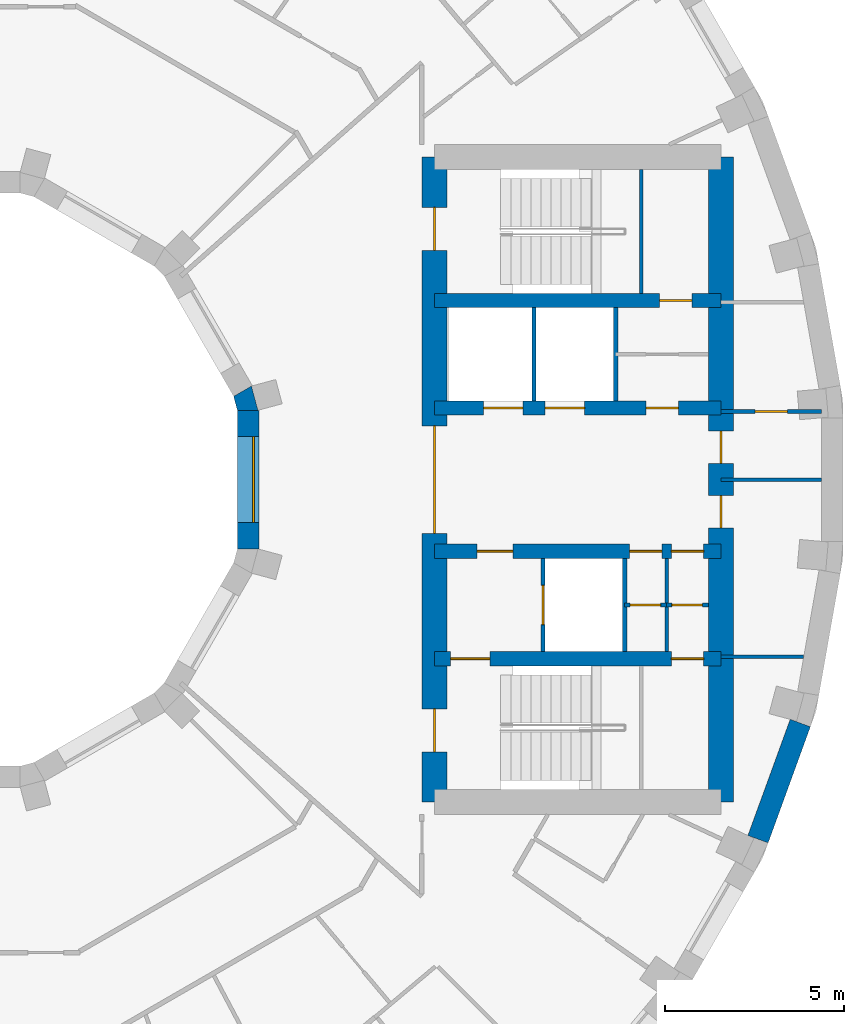
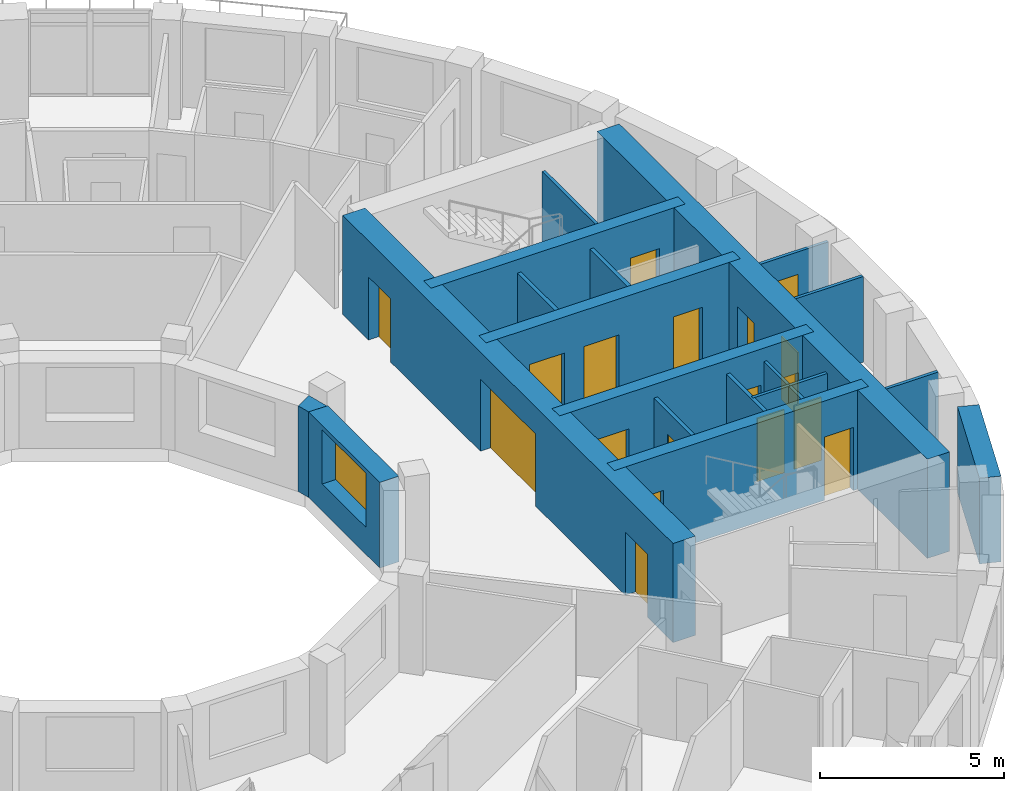
# One storey, part 8 of 13: 20 walls, 18 doors, 1 window, 19 openings.
"""IFC4 building model written with IfcOpenShell, lengths in metres."""

from ifc_helpers import new_model, si_unit, direction, frame, frame_2d, origin, place, context, subcontext, project, spatial, polyline, rectangle, outline, extrude, material, layer, layer_set, type_object, element, fill, save


model = new_model("IFC4")

# Units and contexts
model_context = context("Model", 3, precision=1e-05, world=origin(), true_north=direction((0.0, 1.0)))
body_context = subcontext(model_context, "Body", "Model", "MODEL_VIEW")
ifc_project = project(units=[si_unit("LENGTHUNIT", "METRE"), si_unit("AREAUNIT", "SQUARE_METRE"), si_unit("VOLUMEUNIT", "CUBIC_METRE"), si_unit("PLANEANGLEUNIT", "RADIAN"), si_unit("MASSUNIT", "GRAM", prefix="KILO")], contexts=[model_context])

# Site, building, storey
site_placement = place(None, origin())
site = spatial("IfcSite", under=ifc_project, at=site_placement, CompositionType="ELEMENT")
building_placement = place(site_placement, origin())
building = spatial("IfcBuilding", under=site, at=building_placement, Name="Saqina Gate Tower", CompositionType="ELEMENT")
storey_placement = place(building_placement, frame((0.0, 0.0, 200.39990234375)))
storey = spatial("IfcBuildingStorey", under=building, at=storey_placement, Name="L57", CompositionType="ELEMENT", Elevation=200.39990234375)

# Wall, opening, door
ifc_material_1 = material(Name="Gypsum board on steel studs", Category="steel")
ifc_layer_1 = layer(ifc_material_1, 0.10009765625)
ifc_layer_set_1 = layer_set([ifc_layer_1], Name="CORE PARTITION")
wall_type_1 = type_object("IfcWallType", Name="CORE PARTITION", PredefinedType="PARTITIONING", material=ifc_layer_set_1)
wall_1_placement = place(storey_placement, frame((21.5, 1.89990234375, 0.0), z_axis=(0.0, 0.0, 1.0), x_axis=(1.0, 0.0, 0.0)))
wall_1 = element("IfcWall", 1, at=wall_1_placement, inside=storey, type_object=wall_type_1, Name="L57-CP-E02", PredefinedType="PARTITIONING", context=body_context, shape_type="SweptSolid", body=[
    extrude(rectangle(XDim=2.804931640625, YDim=0.10009765625, at=frame_2d((1.40234375, 0.0))), origin(), (0.0, 0.0, 1.0), 2.85009765625),
])
opening_1_placement = place(wall_1_placement, frame((0.952392578125, 0.0, 0.0)))
opening_1 = element("IfcOpeningElement", 2, at=opening_1_placement, cuts=wall_1, Name="Opening G17-D94", PredefinedType="OPENING", context=body_context, shape_type="SweptSolid", body=[
    extrude(rectangle(XDim=0.89990234375, YDim=2.10009765625, at=frame_2d((0.449951171875, 1.050048828125))), frame((0.0, 0.06201171875, 0.0), z_axis=(0.0, -1.0, 0.0), x_axis=(1.0, 0.0, 0.0)), (0.0, 0.0, 1.0), 0.1240234375),
])
ifc_material_2 = material(Name="Steel-framed fire door leaf, EI 60", Category="steel")
door_type_1 = type_object("IfcDoorType", Name="SERVICE ROOM DOOR 900", OperationType="SINGLE_SWING_LEFT", PredefinedType="DOOR", material=ifc_material_2)
door_1_placement = place(opening_1_placement, origin())
door_1 = element("IfcDoor", 3, at=door_1_placement, inside=storey, type_object=door_type_1, Name="L57-CD-E05", OperationType="SINGLE_SWING_LEFT", OverallHeight=2.10009765625, OverallWidth=0.89990234375, PredefinedType="DOOR", context=body_context, shape_type="SweptSolid", body=[
    extrude(rectangle(XDim=0.89990234375, YDim=2.10009765625, at=frame_2d((0.449951171875, 1.050048828125))), frame((0.0, 0.02490234375, 0.0), z_axis=(0.0, -1.0, 0.0), x_axis=(1.0, 0.0, 0.0)), (0.0, 0.0, 1.0), 0.050048828125),
])
fill(opening_1, door_1)

# Walls
wall_2_placement = place(storey_placement, frame((21.5, -4.949951171875, 0.0), z_axis=(0.0, 0.0, 1.0), x_axis=(1.0, 0.0, 0.0)))
element("IfcWall", 4, at=wall_2_placement, inside=storey, type_object=wall_type_1, Name="L57-CP-E03", PredefinedType="PARTITIONING", context=body_context, shape_type="SweptSolid", body=[
    extrude(rectangle(XDim=2.306884765625, YDim=0.10009765625, at=frame_2d((1.1533203125, 0.0))), origin(), (0.0, 0.0, 1.0), 2.85009765625),
])
wall_3_placement = place(storey_placement, frame((21.5, 0.0, 0.0), z_axis=(0.0, 0.0, 1.0), x_axis=(1.0, 0.0, 0.0)))
element("IfcWall", 5, at=wall_3_placement, inside=storey, type_object=wall_type_1, Name="L57-CP-E04", PredefinedType="PARTITIONING", context=body_context, shape_type="SweptSolid", body=[
    extrude(rectangle(XDim=2.804931640625, YDim=0.10009765625, at=frame_2d((1.40234375, 0.0))), origin(), (0.0, 0.0, 1.0), 2.85009765625),
])
wall_4_placement = place(storey_placement, frame((19.97998046875, -4.800048828125, 0.0), z_axis=(0.0, 0.0, 1.0), x_axis=(0.0, 1.0, 0.0)))
element("IfcWall", 6, at=wall_4_placement, inside=storey, type_object=wall_type_1, Name="L57-CP-E09", PredefinedType="PARTITIONING", context=body_context, shape_type="SweptSolid", body=[
    extrude(rectangle(XDim=2.60009765625, YDim=0.10009765625, at=frame_2d((1.300048828125, 0.0))), origin(), (0.0, 0.0, 1.0), 2.85009765625),
])

# Wall, opening, door
wall_5_placement = place(storey_placement, frame((18.81005859375, -3.5, 0.0), z_axis=(0.0, 0.0, 1.0), x_axis=(1.0, 0.0, 0.0)))
wall_5 = element("IfcWall", 7, at=wall_5_placement, inside=storey, type_object=wall_type_1, Name="L57-CP-E11", PredefinedType="PARTITIONING", context=body_context, shape_type="SweptSolid", body=[
    extrude(rectangle(XDim=1.169921875, YDim=0.10009765625, at=frame_2d((0.5849609375, 0.0))), origin(), (0.0, 0.0, 1.0), 2.85009765625),
])
opening_2_placement = place(wall_5_placement, frame((0.14990234375, 0.0, 0.0)))
opening_2 = element("IfcOpeningElement", 8, at=opening_2_placement, cuts=wall_5, Name="Opening G17-D99", PredefinedType="OPENING", context=body_context, shape_type="SweptSolid", body=[
    extrude(rectangle(XDim=0.85009765625, YDim=2.10009765625, at=frame_2d((0.425048828125, 1.050048828125))), frame((0.0, 0.06201171875, 0.0), z_axis=(0.0, -1.0, 0.0), x_axis=(1.0, 0.0, 0.0)), (0.0, 0.0, 1.0), 0.1240234375),
])
ifc_material_3 = material(Name="Steel-framed fire door leaf, EI 60", Category="steel")
door_type_2 = type_object("IfcDoorType", Name="SERVICE ROOM DOOR 850", OperationType="SINGLE_SWING_LEFT", PredefinedType="DOOR", material=ifc_material_3)
door_2_placement = place(opening_2_placement, frame((0.85009765625, 0.0, 0.0), z_axis=(0.0, 0.0, 1.0), x_axis=(-1.0, 0.0, 0.0)))
door_2 = element("IfcDoor", 9, at=door_2_placement, inside=storey, type_object=door_type_2, Name="L57-CD-E10", OperationType="SINGLE_SWING_RIGHT", OverallHeight=2.10009765625, OverallWidth=0.85009765625, PredefinedType="DOOR", context=body_context, shape_type="SweptSolid", body=[
    extrude(rectangle(XDim=0.85009765625, YDim=2.10009765625, at=frame_2d((0.425048828125, 1.050048828125))), frame((0.0, 0.02490234375, 0.0), z_axis=(0.0, -1.0, 0.0), x_axis=(1.0, 0.0, 0.0)), (0.0, 0.0, 1.0), 0.050048828125),
])
fill(opening_2, door_2)

wall_6_placement = place(storey_placement, frame((19.97998046875, -3.5, 0.0), z_axis=(0.0, 0.0, 1.0), x_axis=(1.0, 0.0, 0.0)))
wall_6 = element("IfcWall", 10, at=wall_6_placement, inside=storey, type_object=wall_type_1, Name="L57-CP-E12", PredefinedType="PARTITIONING", context=body_context, shape_type="SweptSolid", body=[
    extrude(rectangle(XDim=1.169921875, YDim=0.10009765625, at=frame_2d((0.5849609375, 0.0))), origin(), (0.0, 0.0, 1.0), 2.85009765625),
])
opening_3_placement = place(wall_6_placement, frame((0.14990234375, 0.0, 0.0)))
opening_3 = element("IfcOpeningElement", 11, at=opening_3_placement, cuts=wall_6, Name="Opening G17-D100", PredefinedType="OPENING", context=body_context, shape_type="SweptSolid", body=[
    extrude(rectangle(XDim=0.85009765625, YDim=2.10009765625, at=frame_2d((0.425048828125, 1.050048828125))), frame((0.0, 0.06201171875, 0.0), z_axis=(0.0, -1.0, 0.0), x_axis=(1.0, 0.0, 0.0)), (0.0, 0.0, 1.0), 0.1240234375),
])
door_3_placement = place(opening_3_placement, frame((0.85009765625, 0.0, 0.0), z_axis=(0.0, 0.0, 1.0), x_axis=(-1.0, 0.0, 0.0)))
door_3 = element("IfcDoor", 12, at=door_3_placement, inside=storey, type_object=door_type_2, Name="L57-CD-E11", OperationType="SINGLE_SWING_LEFT", OverallHeight=2.10009765625, OverallWidth=0.85009765625, PredefinedType="DOOR", context=body_context, shape_type="SweptSolid", body=[
    extrude(rectangle(XDim=0.85009765625, YDim=2.10009765625, at=frame_2d((0.425048828125, 1.050048828125))), frame((0.0, 0.02490234375, 0.0), z_axis=(0.0, -1.0, 0.0), x_axis=(1.0, 0.0, 0.0)), (0.0, 0.0, 1.0), 0.050048828125),
])
fill(opening_3, door_3)

# Wall
ifc_material_4 = material(Name="Glazed ceramic tile", Category="ceramic")
ifc_layer_2 = layer(ifc_material_4, 0.60009765625)
ifc_layer_set_2 = layer_set([ifc_layer_2], Name="FW-TILE")
wall_type_2 = type_object("IfcWallType", Name="FW-TILE", PredefinedType="SOLIDWALL", material=ifc_layer_set_2)
wall_7_placement = place(storey_placement, frame((22.531005859375, -10.0361328125, 0.0), z_axis=(0.0, 0.0, 1.0), x_axis=(0.342032843455, 0.93968799822, 0.0)))
element("IfcWall", 13, at=wall_7_placement, inside=storey, type_object=wall_type_2, Name="Facade wall L57 facet 34", PredefinedType="SOLIDWALL", context=body_context, shape_type="SweptSolid", body=[
    extrude(rectangle(XDim=3.44970703125, YDim=0.60009765625, at=frame_2d((1.724853515625, 0.0))), origin(), (0.0, 0.0, 1.0), 2.85009765625),
])

# Wall, opening, window
ifc_material_5 = material(Name="Glazed ceramic tile", Category="ceramic")
ifc_layer_3 = layer(ifc_material_5, 0.60009765625)
ifc_layer_set_3 = layer_set([ifc_layer_3], Name="IW-TILE")
wall_type_3 = type_object("IfcWallType", Name="IW-TILE", PredefinedType="SOLIDWALL", material=ifc_layer_set_3)
wall_8_placement = place(storey_placement, frame((8.300048828125, -1.934814453125, 0.0), z_axis=(0.0, 0.0, 1.0), x_axis=(0.0, 1.0, 0.0)))
wall_8 = element("IfcWall", 14, at=wall_8_placement, inside=storey, type_object=wall_type_3, Name="Well wall L57 facet 12", PredefinedType="SOLIDWALL", context=body_context, shape_type="SweptSolid", body=[
    extrude(rectangle(XDim=3.86962890625, YDim=0.60009765625, at=frame_2d((1.934814453125, 0.0))), origin(), (0.0, 0.0, 1.0), 2.85009765625),
])
opening_4_placement = place(wall_8_placement, frame((0.73486328125, 0.0, 0.89990234375)))
opening_4 = element("IfcOpeningElement", 15, at=opening_4_placement, cuts=wall_8, Name="Opening G17-W34", PredefinedType="OPENING", context=body_context, shape_type="SweptSolid", body=[
    extrude(rectangle(XDim=2.39990234375, YDim=1.800048828125, at=frame_2d((1.199951171875, 0.89990234375))), frame((0.0, 0.31201171875, 0.0), z_axis=(0.0, -1.0, 0.0), x_axis=(1.0, 0.0, 0.0)), (0.0, 0.0, 1.0), 0.6240234375),
])
ifc_material_6 = material(Name="Aluminium glazing", Category="aluminium")
window_type = type_object("IfcWindowType", Name="WN-W", PartitioningType="SINGLE_PANEL", PredefinedType="WINDOW", material=ifc_material_6)
window_placement = place(opening_4_placement, origin())
window = element("IfcWindow", 16, at=window_placement, inside=storey, type_object=window_type, Name="Well window L57 facet 12", OverallHeight=1.800048828125, OverallWidth=2.39990234375, PartitioningType="SINGLE_PANEL", PredefinedType="WINDOW", context=body_context, shape_type="SweptSolid", body=[
    extrude(rectangle(XDim=2.39990234375, YDim=1.800048828125, at=frame_2d((1.199951171875, 0.89990234375))), frame((0.0, -0.119873046875, 0.0), z_axis=(0.0, -1.0, 0.0), x_axis=(1.0, 0.0, 0.0)), (0.0, 0.0, 1.0), 0.06005859375),
])
fill(opening_4, window)

# Walls
ifc_material_7 = material(Name="Autoclaved aerated concrete block", Category="concrete")
ifc_layer_4 = layer(ifc_material_7, 0.1201171875)
ifc_layer_set_4 = layer_set([ifc_layer_4], Name="SHAFT PARTITION")
wall_type_4 = type_object("IfcWallType", Name="SHAFT PARTITION", PredefinedType="PARTITIONING", material=ifc_layer_set_4)
for number, where, z_axis, x_axis, name in (
    (17, (16.280029296875, 2.199951171875, 0.0), (0.0, 0.0, 1.0), (0.0, 1.0, 0.0), "L57-CP-E05"),
    (18, (18.56005859375, 2.199951171875, 0.0), (0.0, 0.0, 1.0), (0.0, 1.0, 0.0), "L57-CP-E06"),
):
    element("IfcWall", number, at=place(storey_placement, frame(where, z_axis=z_axis, x_axis=x_axis)), inside=storey, type_object=wall_type_4, Name=name, PredefinedType="PARTITIONING", context=body_context, shape_type="SweptSolid", body=[
        extrude(rectangle(XDim=2.60009765625, YDim=0.1201171875, at=frame_2d((1.300048828125, 0.0))), origin(), (0.0, 0.0, 1.0), 2.85009765625),
    ])

# Wall, opening, door
wall_9_placement = place(storey_placement, frame((16.530029296875, -4.800048828125, 0.0), z_axis=(0.0, 0.0, 1.0), x_axis=(0.0, 1.0, 0.0)))
wall_9 = element("IfcWall", 19, at=wall_9_placement, inside=storey, type_object=wall_type_4, Name="L57-CP-E07", PredefinedType="PARTITIONING", context=body_context, shape_type="SweptSolid", body=[
    extrude(rectangle(XDim=2.60009765625, YDim=0.1201171875, at=frame_2d((1.300048828125, 0.0))), origin(), (0.0, 0.0, 1.0), 2.85009765625),
])
opening_5_placement = place(wall_9_placement, frame((0.75, 0.0, 0.0)))
opening_5 = element("IfcOpeningElement", 20, at=opening_5_placement, cuts=wall_9, Name="Opening G17-LD3", PredefinedType="OPENING", context=body_context, shape_type="SweptSolid", body=[
    extrude(rectangle(XDim=1.10009765625, YDim=2.10009765625, at=frame_2d((0.550048828125, 1.050048828125))), frame((0.0, 0.072021484375, 0.0), z_axis=(0.0, -1.0, 0.0), x_axis=(1.0, 0.0, 0.0)), (0.0, 0.0, 1.0), 0.14404296875),
])
ifc_material_8 = material(Name="Stainless steel", Category="steel")
door_type_3 = type_object("IfcDoorType", Name="LANDING DOOR", OperationType="DOUBLE_DOOR_SLIDING", PredefinedType="DOOR", material=ifc_material_8)
door_4_placement = place(opening_5_placement, origin())
door_4 = element("IfcDoor", 21, at=door_4_placement, inside=storey, type_object=door_type_3, Name="LANDING DOOR FF1", OperationType="DOUBLE_DOOR_SLIDING", OverallHeight=2.10009765625, OverallWidth=1.10009765625, PredefinedType="DOOR", context=body_context, shape_type="SweptSolid", body=[
    extrude(rectangle(XDim=1.10009765625, YDim=2.10009765625, at=frame_2d((0.550048828125, 1.050048828125))), frame((0.0, 0.02490234375, 0.0), z_axis=(0.0, -1.0, 0.0), x_axis=(1.0, 0.0, 0.0)), (0.0, 0.0, 1.0), 0.050048828125),
])
fill(opening_5, door_4)

# Walls
wall_10_placement = place(storey_placement, frame((18.81005859375, -4.800048828125, 0.0), z_axis=(0.0, 0.0, 1.0), x_axis=(0.0, 1.0, 0.0)))
element("IfcWall", 22, at=wall_10_placement, inside=storey, type_object=wall_type_4, Name="L57-CP-E08", PredefinedType="PARTITIONING", context=body_context, shape_type="SweptSolid", body=[
    extrude(rectangle(XDim=2.60009765625, YDim=0.1201171875, at=frame_2d((1.300048828125, 0.0))), origin(), (0.0, 0.0, 1.0), 2.85009765625),
])
ifc_material_9 = material(Name="Autoclaved aerated concrete block", Category="concrete")
ifc_layer_5 = layer(ifc_material_9, 0.10009765625)
ifc_layer_set_5 = layer_set([ifc_layer_5], Name="STAIR ENCLOSURE WALL")
wall_type_5 = type_object("IfcWallType", Name="STAIR ENCLOSURE WALL", PredefinedType="PARTITIONING", material=ifc_layer_set_5)
wall_11_placement = place(storey_placement, frame((19.27001953125, 5.199951171875, 0.0), z_axis=(0.0, 0.0, 1.0), x_axis=(0.0, 1.0, 0.0)))
element("IfcWall", 23, at=wall_11_placement, inside=storey, type_object=wall_type_5, Name="L57-CP-E13", PredefinedType="PARTITIONING", context=body_context, shape_type="SweptSolid", body=[
    extrude(rectangle(XDim=3.449951171875, YDim=0.10009765625, at=frame_2d((1.72509765625, 0.0))), origin(), (0.0, 0.0, 1.0), 2.85009765625),
])

# Wall, opening, door
ifc_material_10 = material(Name="Concrete C60/75", Category="concrete")
ifc_layer_6 = layer(ifc_material_10, 0.39990234375)
ifc_layer_set_6 = layer_set([ifc_layer_6], Name="Concrete C60/75")
wall_type_6 = type_object("IfcWallType", Name="STR-CORE WALL-C-I", PredefinedType="SHEAR", material=ifc_layer_set_6)
wall_12_placement = place(storey_placement, frame((13.5, 5.0, 0.0), z_axis=(0.0, 0.0, 1.0), x_axis=(1.0, 0.0, 0.0)))
wall_12 = element("IfcWall", 24, at=wall_12_placement, inside=storey, type_object=wall_type_6, Name="CORE WALL L57 E-X1", PredefinedType="SHEAR", context=body_context, shape_type="SweptSolid", body=[
    extrude(rectangle(XDim=8.0, YDim=0.39990234375, at=frame_2d((4.0, 0.0))), origin(), (0.0, 0.0, 1.0), 3.300048828125),
])
opening_6_placement = place(wall_12_placement, frame((6.284912109375, 0.0, 0.0)))
opening_6 = element("IfcOpeningElement", 25, at=opening_6_placement, cuts=wall_12, Name="Opening G17-D98", PredefinedType="OPENING", context=body_context, shape_type="SweptSolid", body=[
    extrude(rectangle(XDim=0.89990234375, YDim=2.10009765625, at=frame_2d((0.449951171875, 1.050048828125))), frame((0.0, 0.2119140625, 0.0), z_axis=(0.0, -1.0, 0.0), x_axis=(1.0, 0.0, 0.0)), (0.0, 0.0, 1.0), 0.423828125),
])
door_5_placement = place(opening_6_placement, origin())
door_5 = element("IfcDoor", 26, at=door_5_placement, inside=storey, type_object=door_type_1, Name="L57-CD-E09", OperationType="SINGLE_SWING_RIGHT", OverallHeight=2.10009765625, OverallWidth=0.89990234375, PredefinedType="DOOR", context=body_context, shape_type="SweptSolid", body=[
    extrude(rectangle(XDim=0.89990234375, YDim=2.10009765625, at=frame_2d((0.449951171875, 1.050048828125))), frame((0.0, 0.02490234375, 0.0), z_axis=(0.0, -1.0, 0.0), x_axis=(1.0, 0.0, 0.0)), (0.0, 0.0, 1.0), 0.050048828125),
])
fill(opening_6, door_5)

# Wall, openings, doors
wall_13_placement = place(storey_placement, frame((13.5, -5.0, 0.0), z_axis=(0.0, 0.0, 1.0), x_axis=(1.0, 0.0, 0.0)))
wall_13 = element("IfcWall", 27, at=wall_13_placement, inside=storey, type_object=wall_type_6, Name="CORE WALL L57 E-X2", PredefinedType="SHEAR", context=body_context, shape_type="SweptSolid", body=[
    extrude(rectangle(XDim=8.0, YDim=0.39990234375, at=frame_2d((4.0, 0.0))), origin(), (0.0, 0.0, 1.0), 3.300048828125),
])
opening_7_placement = place(wall_13_placement, frame((6.614990234375, 0.0, 0.0)))
opening_7 = element("IfcOpeningElement", 28, at=opening_7_placement, cuts=wall_13, Name="Opening G17-D101", PredefinedType="OPENING", context=body_context, shape_type="SweptSolid", body=[
    extrude(rectangle(XDim=0.89990234375, YDim=2.10009765625, at=frame_2d((0.449951171875, 1.050048828125))), frame((0.0, 0.2119140625, 0.0), z_axis=(0.0, -1.0, 0.0), x_axis=(1.0, 0.0, 0.0)), (0.0, 0.0, 1.0), 0.423828125),
])
opening_8_placement = place(wall_13_placement, frame((0.449951171875, 0.0, 0.0)))
opening_8 = element("IfcOpeningElement", 29, at=opening_8_placement, cuts=wall_13, Name="Opening G17-D102", PredefinedType="OPENING", context=body_context, shape_type="SweptSolid", body=[
    extrude(rectangle(XDim=1.10009765625, YDim=2.10009765625, at=frame_2d((0.550048828125, 1.050048828125))), frame((0.0, 0.2119140625, 0.0), z_axis=(0.0, -1.0, 0.0), x_axis=(1.0, 0.0, 0.0)), (0.0, 0.0, 1.0), 0.423828125),
])
ifc_material_11 = material(Name="Steel", Category="steel")
door_type_4 = type_object("IfcDoorType", Name="FIRE LOBBY DOOR EI 60 WIDE", OperationType="SINGLE_SWING_LEFT", PredefinedType="DOOR", material=ifc_material_11)
door_6_placement = place(opening_8_placement, frame((1.10009765625, 0.0, 0.0), z_axis=(0.0, 0.0, 1.0), x_axis=(-1.0, 0.0, 0.0)))
door_6 = element("IfcDoor", 30, at=door_6_placement, inside=storey, type_object=door_type_4, Name="L57-CD-E13", OperationType="SINGLE_SWING_RIGHT", OverallHeight=2.10009765625, OverallWidth=1.10009765625, PredefinedType="DOOR", context=body_context, shape_type="SweptSolid", body=[
    extrude(rectangle(XDim=1.10009765625, YDim=2.10009765625, at=frame_2d((0.550048828125, 1.050048828125))), frame((0.0, 0.02490234375, 0.0), z_axis=(0.0, -1.0, 0.0), x_axis=(1.0, 0.0, 0.0)), (0.0, 0.0, 1.0), 0.050048828125),
])
fill(opening_8, door_6)
door_7_placement = place(opening_7_placement, frame((0.89990234375, 0.0, 0.0), z_axis=(0.0, 0.0, 1.0), x_axis=(-1.0, 0.0, 0.0)))
door_7 = element("IfcDoor", 31, at=door_7_placement, inside=storey, type_object=door_type_1, Name="L57-CD-E12", OperationType="SINGLE_SWING_LEFT", OverallHeight=2.10009765625, OverallWidth=0.89990234375, PredefinedType="DOOR", context=body_context, shape_type="SweptSolid", body=[
    extrude(rectangle(XDim=0.89990234375, YDim=2.10009765625, at=frame_2d((0.449951171875, 1.050048828125))), frame((0.0, 0.02490234375, 0.0), z_axis=(0.0, -1.0, 0.0), x_axis=(1.0, 0.0, 0.0)), (0.0, 0.0, 1.0), 0.050048828125),
])
fill(opening_7, door_7)

wall_14_placement = place(storey_placement, frame((13.5, 2.0, 0.0), z_axis=(0.0, 0.0, 1.0), x_axis=(1.0, 0.0, 0.0)))
wall_14 = element("IfcWall", 32, at=wall_14_placement, inside=storey, type_object=wall_type_6, Name="CORE WALL L57 E-L1", PredefinedType="SHEAR", context=body_context, shape_type="SweptSolid", body=[
    extrude(rectangle(XDim=8.0, YDim=0.39990234375, at=frame_2d((4.0, 0.0))), origin(), (0.0, 0.0, 1.0), 3.300048828125),
])
opening_9_placement = place(wall_14_placement, frame((1.3701171875, 0.0, 0.0)))
opening_9 = element("IfcOpeningElement", 33, at=opening_9_placement, cuts=wall_14, Name="Opening G17-LD1", PredefinedType="OPENING", context=body_context, shape_type="SweptSolid", body=[
    extrude(rectangle(XDim=1.10009765625, YDim=2.10009765625, at=frame_2d((0.550048828125, 1.050048828125))), frame((0.0, 0.2119140625, 0.0), z_axis=(0.0, -1.0, 0.0), x_axis=(1.0, 0.0, 0.0)), (0.0, 0.0, 1.0), 0.423828125),
])
opening_10_placement = place(wall_14_placement, frame((3.090087890625, 0.0, 0.0)))
opening_10 = element("IfcOpeningElement", 34, at=opening_10_placement, cuts=wall_14, Name="Opening G17-LD2", PredefinedType="OPENING", context=body_context, shape_type="SweptSolid", body=[
    extrude(rectangle(XDim=1.10009765625, YDim=2.10009765625, at=frame_2d((0.550048828125, 1.050048828125))), frame((0.0, 0.2119140625, 0.0), z_axis=(0.0, -1.0, 0.0), x_axis=(1.0, 0.0, 0.0)), (0.0, 0.0, 1.0), 0.423828125),
])
opening_11_placement = place(wall_14_placement, frame((5.905029296875, 0.0, 0.0)))
opening_11 = element("IfcOpeningElement", 35, at=opening_11_placement, cuts=wall_14, Name="Opening G17-D90", PredefinedType="OPENING", context=body_context, shape_type="SweptSolid", body=[
    extrude(rectangle(XDim=0.89990234375, YDim=2.10009765625, at=frame_2d((0.449951171875, 1.050048828125))), frame((0.0, 0.2119140625, 0.0), z_axis=(0.0, -1.0, 0.0), x_axis=(1.0, 0.0, 0.0)), (0.0, 0.0, 1.0), 0.423828125),
])
door_8_placement = place(opening_9_placement, origin())
door_8 = element("IfcDoor", 36, at=door_8_placement, inside=storey, type_object=door_type_3, Name="LANDING DOOR HR1", OperationType="DOUBLE_DOOR_SLIDING", OverallHeight=2.10009765625, OverallWidth=1.10009765625, PredefinedType="DOOR", context=body_context, shape_type="SweptSolid", body=[
    extrude(rectangle(XDim=1.10009765625, YDim=2.10009765625, at=frame_2d((0.550048828125, 1.050048828125))), frame((0.0, 0.02490234375, 0.0), z_axis=(0.0, -1.0, 0.0), x_axis=(1.0, 0.0, 0.0)), (0.0, 0.0, 1.0), 0.050048828125),
])
fill(opening_9, door_8)
door_9_placement = place(opening_10_placement, origin())
door_9 = element("IfcDoor", 37, at=door_9_placement, inside=storey, type_object=door_type_3, Name="LANDING DOOR HR2", OperationType="DOUBLE_DOOR_SLIDING", OverallHeight=2.10009765625, OverallWidth=1.10009765625, PredefinedType="DOOR", context=body_context, shape_type="SweptSolid", body=[
    extrude(rectangle(XDim=1.10009765625, YDim=2.10009765625, at=frame_2d((0.550048828125, 1.050048828125))), frame((0.0, 0.02490234375, 0.0), z_axis=(0.0, -1.0, 0.0), x_axis=(1.0, 0.0, 0.0)), (0.0, 0.0, 1.0), 0.050048828125),
])
fill(opening_10, door_9)
door_10_placement = place(opening_11_placement, origin())
door_10 = element("IfcDoor", 38, at=door_10_placement, inside=storey, type_object=door_type_1, Name="L57-CD-E01", OperationType="SINGLE_SWING_RIGHT", OverallHeight=2.10009765625, OverallWidth=0.89990234375, PredefinedType="DOOR", context=body_context, shape_type="SweptSolid", body=[
    extrude(rectangle(XDim=0.89990234375, YDim=2.10009765625, at=frame_2d((0.449951171875, 1.050048828125))), frame((0.0, 0.02490234375, 0.0), z_axis=(0.0, -1.0, 0.0), x_axis=(1.0, 0.0, 0.0)), (0.0, 0.0, 1.0), 0.050048828125),
])
fill(opening_11, door_10)

wall_15_placement = place(storey_placement, frame((13.5, -2.0, 0.0), z_axis=(0.0, 0.0, 1.0), x_axis=(1.0, 0.0, 0.0)))
wall_15 = element("IfcWall", 39, at=wall_15_placement, inside=storey, type_object=wall_type_6, Name="CORE WALL L57 E-L2", PredefinedType="SHEAR", context=body_context, shape_type="SweptSolid", body=[
    extrude(rectangle(XDim=8.0, YDim=0.39990234375, at=frame_2d((4.0, 0.0))), origin(), (0.0, 0.0, 1.0), 3.300048828125),
])
opening_12_placement = place(wall_15_placement, frame((1.18994140625, 0.0, 0.0)))
opening_12 = element("IfcOpeningElement", 40, at=opening_12_placement, cuts=wall_15, Name="Opening G17-D91", PredefinedType="OPENING", context=body_context, shape_type="SweptSolid", body=[
    extrude(rectangle(XDim=1.0, YDim=2.10009765625, at=frame_2d((0.5, 1.050048828125))), frame((0.0, 0.2119140625, 0.0), z_axis=(0.0, -1.0, 0.0), x_axis=(1.0, 0.0, 0.0)), (0.0, 0.0, 1.0), 0.423828125),
])
opening_13_placement = place(wall_15_placement, frame((5.445068359375, 0.0, 0.0)))
opening_13 = element("IfcOpeningElement", 41, at=opening_13_placement, cuts=wall_15, Name="Opening G17-D92", PredefinedType="OPENING", context=body_context, shape_type="SweptSolid", body=[
    extrude(rectangle(XDim=0.89990234375, YDim=2.10009765625, at=frame_2d((0.449951171875, 1.050048828125))), frame((0.0, 0.2119140625, 0.0), z_axis=(0.0, -1.0, 0.0), x_axis=(1.0, 0.0, 0.0)), (0.0, 0.0, 1.0), 0.423828125),
])
opening_14_placement = place(wall_15_placement, frame((6.614990234375, 0.0, 0.0)))
opening_14 = element("IfcOpeningElement", 42, at=opening_14_placement, cuts=wall_15, Name="Opening G17-D93", PredefinedType="OPENING", context=body_context, shape_type="SweptSolid", body=[
    extrude(rectangle(XDim=0.89990234375, YDim=2.10009765625, at=frame_2d((0.449951171875, 1.050048828125))), frame((0.0, 0.2119140625, 0.0), z_axis=(0.0, -1.0, 0.0), x_axis=(1.0, 0.0, 0.0)), (0.0, 0.0, 1.0), 0.423828125),
])
ifc_material_12 = material(Name="Steel", Category="steel")
door_type_5 = type_object("IfcDoorType", Name="FIRE LOBBY DOOR EI 60", OperationType="SINGLE_SWING_LEFT", PredefinedType="DOOR", material=ifc_material_12)
door_11_placement = place(opening_12_placement, origin())
door_11 = element("IfcDoor", 43, at=door_11_placement, inside=storey, type_object=door_type_5, Name="L57-CD-E02", OperationType="SINGLE_SWING_LEFT", OverallHeight=2.10009765625, OverallWidth=1.0, PredefinedType="DOOR", context=body_context, shape_type="SweptSolid", body=[
    extrude(rectangle(XDim=1.0, YDim=2.10009765625, at=frame_2d((0.5, 1.050048828125))), frame((0.0, 0.02490234375, 0.0), z_axis=(0.0, -1.0, 0.0), x_axis=(1.0, 0.0, 0.0)), (0.0, 0.0, 1.0), 0.050048828125),
])
fill(opening_12, door_11)
door_12_placement = place(opening_13_placement, frame((0.89990234375, 0.0, 0.0), z_axis=(0.0, 0.0, 1.0), x_axis=(-1.0, 0.0, 0.0)))
door_12 = element("IfcDoor", 44, at=door_12_placement, inside=storey, type_object=door_type_1, Name="L57-CD-E03", OperationType="SINGLE_SWING_RIGHT", OverallHeight=2.10009765625, OverallWidth=0.89990234375, PredefinedType="DOOR", context=body_context, shape_type="SweptSolid", body=[
    extrude(rectangle(XDim=0.89990234375, YDim=2.10009765625, at=frame_2d((0.449951171875, 1.050048828125))), frame((0.0, 0.02490234375, 0.0), z_axis=(0.0, -1.0, 0.0), x_axis=(1.0, 0.0, 0.0)), (0.0, 0.0, 1.0), 0.050048828125),
])
fill(opening_13, door_12)
door_13_placement = place(opening_14_placement, frame((0.89990234375, 0.0, 0.0), z_axis=(0.0, 0.0, 1.0), x_axis=(-1.0, 0.0, 0.0)))
door_13 = element("IfcDoor", 45, at=door_13_placement, inside=storey, type_object=door_type_1, Name="L57-CD-E04", OperationType="SINGLE_SWING_LEFT", OverallHeight=2.10009765625, OverallWidth=0.89990234375, PredefinedType="DOOR", context=body_context, shape_type="SweptSolid", body=[
    extrude(rectangle(XDim=0.89990234375, YDim=2.10009765625, at=frame_2d((0.449951171875, 1.050048828125))), frame((0.0, 0.02490234375, 0.0), z_axis=(0.0, -1.0, 0.0), x_axis=(1.0, 0.0, 0.0)), (0.0, 0.0, 1.0), 0.050048828125),
])
fill(opening_14, door_13)

ifc_material_13 = material(Name="Concrete C60/75", Category="concrete")
ifc_layer_7 = layer(ifc_material_13, 0.699951171875)
ifc_layer_set_7 = layer_set([ifc_layer_7], Name="Concrete C60/75")
wall_type_7 = type_object("IfcWallType", Name="STR-CORE WALL-C-O", PredefinedType="SHEAR", material=ifc_layer_set_7)
wall_16_placement = place(storey_placement, frame((13.5, -9.0, 0.0), z_axis=(0.0, 0.0, 1.0), x_axis=(0.0, 1.0, 0.0)))
wall_16 = element("IfcWall", 46, at=wall_16_placement, inside=storey, type_object=wall_type_7, Name="CORE WALL L57 E-W1", PredefinedType="SHEAR", context=body_context, shape_type="SweptSolid", body=[
    extrude(rectangle(XDim=18.0, YDim=0.699951171875, at=frame_2d((9.0, 0.0))), origin(), (0.0, 0.0, 1.0), 3.300048828125),
])
opening_15_placement = place(wall_16_placement, frame((15.39990234375, 0.0, 0.0)))
opening_15 = element("IfcOpeningElement", 47, at=opening_15_placement, cuts=wall_16, Name="Opening G17-D103", PredefinedType="OPENING", context=body_context, shape_type="SweptSolid", body=[
    extrude(rectangle(XDim=1.199951171875, YDim=2.10009765625, at=frame_2d((0.60009765625, 1.050048828125))), frame((0.0, 0.362060546875, 0.0), z_axis=(0.0, -1.0, 0.0), x_axis=(1.0, 0.0, 0.0)), (0.0, 0.0, 1.0), 0.723876953125),
])
opening_16_placement = place(wall_16_placement, frame((1.39990234375, 0.0, 0.0)))
opening_16 = element("IfcOpeningElement", 48, at=opening_16_placement, cuts=wall_16, Name="Opening G17-D104", PredefinedType="OPENING", context=body_context, shape_type="SweptSolid", body=[
    extrude(rectangle(XDim=1.199951171875, YDim=2.10009765625, at=frame_2d((0.60009765625, 1.050048828125))), frame((0.0, 0.362060546875, 0.0), z_axis=(0.0, -1.0, 0.0), x_axis=(1.0, 0.0, 0.0)), (0.0, 0.0, 1.0), 0.723876953125),
])
opening_17_placement = place(wall_16_placement, frame((7.5, 0.0, 0.0)))
opening_17 = element("IfcOpeningElement", 49, at=opening_17_placement, cuts=wall_16, Name="Opening G17-D105", PredefinedType="OPENING", context=body_context, shape_type="SweptSolid", body=[
    extrude(rectangle(XDim=3.0, YDim=2.39990234375, at=frame_2d((1.5, 1.199951171875))), frame((0.0, 0.362060546875, 0.0), z_axis=(0.0, -1.0, 0.0), x_axis=(1.0, 0.0, 0.0)), (0.0, 0.0, 1.0), 0.723876953125),
])
ifc_material_14 = material(Name="Steel", Category="steel")
door_type_6 = type_object("IfcDoorType", Name="FIRE DOOR EI 60", OperationType="SINGLE_SWING_LEFT", PredefinedType="DOOR", material=ifc_material_14)
door_14_placement = place(opening_15_placement, frame((1.199951171875, 0.0, 0.0), z_axis=(0.0, 0.0, 1.0), x_axis=(-1.0, 0.0, 0.0)))
door_14 = element("IfcDoor", 50, at=door_14_placement, inside=storey, type_object=door_type_6, Name="L57-CD-E14", OperationType="SINGLE_SWING_LEFT", OverallHeight=2.10009765625, OverallWidth=1.199951171875, PredefinedType="DOOR", context=body_context, shape_type="SweptSolid", body=[
    extrude(rectangle(XDim=1.199951171875, YDim=2.10009765625, at=frame_2d((0.60009765625, 1.050048828125))), frame((0.0, 0.02490234375, 0.0), z_axis=(0.0, -1.0, 0.0), x_axis=(1.0, 0.0, 0.0)), (0.0, 0.0, 1.0), 0.050048828125),
])
fill(opening_15, door_14)
door_15_placement = place(opening_16_placement, frame((1.199951171875, 0.0, 0.0), z_axis=(0.0, 0.0, 1.0), x_axis=(-1.0, 0.0, 0.0)))
door_15 = element("IfcDoor", 51, at=door_15_placement, inside=storey, type_object=door_type_6, Name="L57-CD-E15", OperationType="SINGLE_SWING_RIGHT", OverallHeight=2.10009765625, OverallWidth=1.199951171875, PredefinedType="DOOR", context=body_context, shape_type="SweptSolid", body=[
    extrude(rectangle(XDim=1.199951171875, YDim=2.10009765625, at=frame_2d((0.60009765625, 1.050048828125))), frame((0.0, 0.02490234375, 0.0), z_axis=(0.0, -1.0, 0.0), x_axis=(1.0, 0.0, 0.0)), (0.0, 0.0, 1.0), 0.050048828125),
])
fill(opening_16, door_15)
ifc_material_15 = material(Name="Steel and fire-resisting glass", Category="steel")
door_type_7 = type_object("IfcDoorType", Name="LOBBY SCREEN DOOR", OperationType="DOUBLE_DOOR_SLIDING", PredefinedType="DOOR", material=ifc_material_15)
door_16_placement = place(opening_17_placement, origin())
door_16 = element("IfcDoor", 52, at=door_16_placement, inside=storey, type_object=door_type_7, Name="L57-CD-E16", OperationType="DOUBLE_DOOR_SLIDING", OverallHeight=2.39990234375, OverallWidth=3.0, PredefinedType="DOOR", context=body_context, shape_type="SweptSolid", body=[
    extrude(rectangle(XDim=3.0, YDim=2.39990234375, at=frame_2d((1.5, 1.199951171875))), frame((0.0, 0.02490234375, 0.0), z_axis=(0.0, -1.0, 0.0), x_axis=(1.0, 0.0, 0.0)), (0.0, 0.0, 1.0), 0.050048828125),
])
fill(opening_17, door_16)

wall_17_placement = place(storey_placement, frame((21.5, -9.0, 0.0), z_axis=(0.0, 0.0, 1.0), x_axis=(0.0, 1.0, 0.0)))
wall_17 = element("IfcWall", 53, at=wall_17_placement, inside=storey, type_object=wall_type_7, Name="CORE WALL L57 E-W2", PredefinedType="SHEAR", context=body_context, shape_type="SweptSolid", body=[
    extrude(rectangle(XDim=18.0, YDim=0.699951171875, at=frame_2d((9.0, 0.0))), origin(), (0.0, 0.0, 1.0), 3.300048828125),
])
opening_18_placement = place(wall_17_placement, frame((9.449951171875, 0.0, 0.0)))
opening_18 = element("IfcOpeningElement", 54, at=opening_18_placement, cuts=wall_17, Name="Opening G17-D95", PredefinedType="OPENING", context=body_context, shape_type="SweptSolid", body=[
    extrude(rectangle(XDim=0.89990234375, YDim=2.10009765625, at=frame_2d((0.449951171875, 1.050048828125))), frame((0.0, 0.362060546875, 0.0), z_axis=(0.0, -1.0, 0.0), x_axis=(1.0, 0.0, 0.0)), (0.0, 0.0, 1.0), 0.723876953125),
])
opening_19_placement = place(wall_17_placement, frame((7.64990234375, 0.0, 0.0)))
opening_19 = element("IfcOpeningElement", 55, at=opening_19_placement, cuts=wall_17, Name="Opening G17-D96", PredefinedType="OPENING", context=body_context, shape_type="SweptSolid", body=[
    extrude(rectangle(XDim=0.89990234375, YDim=2.10009765625, at=frame_2d((0.449951171875, 1.050048828125))), frame((0.0, 0.362060546875, 0.0), z_axis=(0.0, -1.0, 0.0), x_axis=(1.0, 0.0, 0.0)), (0.0, 0.0, 1.0), 0.723876953125),
])
door_17_placement = place(opening_18_placement, frame((0.89990234375, 0.0, 0.0), z_axis=(0.0, 0.0, 1.0), x_axis=(-1.0, 0.0, 0.0)))
door_17 = element("IfcDoor", 56, at=door_17_placement, inside=storey, type_object=door_type_1, Name="L57-CD-E06", OperationType="SINGLE_SWING_LEFT", OverallHeight=2.10009765625, OverallWidth=0.89990234375, PredefinedType="DOOR", context=body_context, shape_type="SweptSolid", body=[
    extrude(rectangle(XDim=0.89990234375, YDim=2.10009765625, at=frame_2d((0.449951171875, 1.050048828125))), frame((0.0, 0.02490234375, 0.0), z_axis=(0.0, -1.0, 0.0), x_axis=(1.0, 0.0, 0.0)), (0.0, 0.0, 1.0), 0.050048828125),
])
fill(opening_18, door_17)
door_18_placement = place(opening_19_placement, frame((0.89990234375, 0.0, 0.0), z_axis=(0.0, 0.0, 1.0), x_axis=(-1.0, 0.0, 0.0)))
door_18 = element("IfcDoor", 57, at=door_18_placement, inside=storey, type_object=door_type_1, Name="L57-CD-E07", OperationType="SINGLE_SWING_LEFT", OverallHeight=2.10009765625, OverallWidth=0.89990234375, PredefinedType="DOOR", context=body_context, shape_type="SweptSolid", body=[
    extrude(rectangle(XDim=0.89990234375, YDim=2.10009765625, at=frame_2d((0.449951171875, 1.050048828125))), frame((0.0, 0.02490234375, 0.0), z_axis=(0.0, -1.0, 0.0), x_axis=(1.0, 0.0, 0.0)), (0.0, 0.0, 1.0), 0.050048828125),
])
fill(opening_19, door_18)

# Wall
ifc_material_16 = material(Name="Glazed ceramic tile", Category="ceramic")
wall_type_8 = type_object("IfcWallType", Name="TILE PIER COPING", PredefinedType="SOLIDWALL", material=ifc_material_16)
wall_18_placement = place(storey_placement, origin())
element("IfcWall", 58, at=wall_18_placement, inside=storey, type_object=wall_type_8, Name="Well pier cap L57 column 1", PredefinedType="SOLIDWALL", context=body_context, shape_type="SweptSolid", body=[
    extrude(outline(polyline([(8.392333984375, 2.611083984375), (7.895751953125, 2.32421875), (8.0, 1.934814453125), (8.573486328125, 1.934814453125), (8.392333984375, 2.611083984375)])), origin(), (0.0, 0.0, 1.0), 2.85009765625),
])

save(model, "model.ifc")
